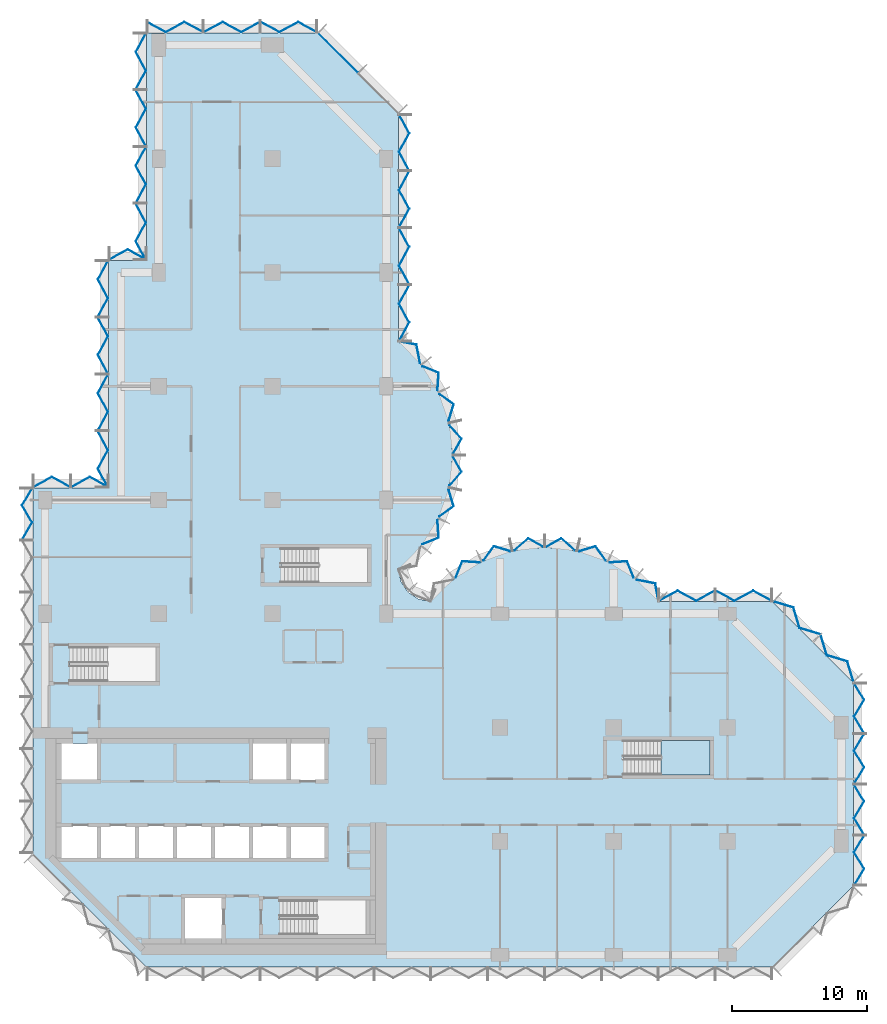
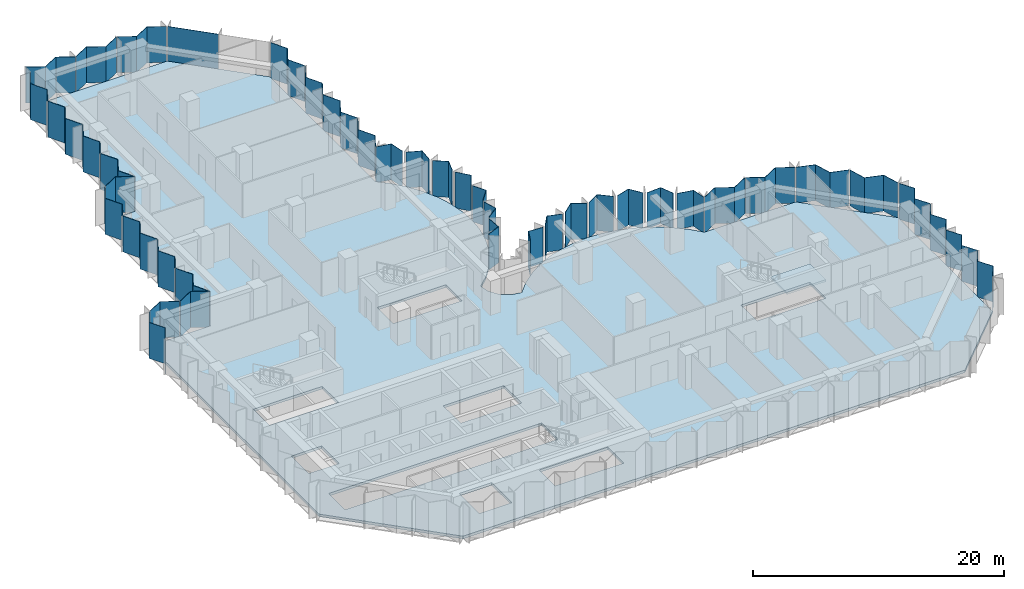
# One storey, part 4 of 11: 42 plates, 2 slabs, 14 elements without a shape of their own.
"""IFC4 building model written with IfcOpenShell, lengths in metres."""

from ifc_helpers import new_model, si_unit, direction, frame, origin, place, context, subcontext, project, spatial, polyline, outline, extrude, material, layer, layer_set, type_object, element, aggregate, save


model = new_model("IFC4")

# Units and contexts
model_context = context("Model", 3, precision=1e-05, world=origin(), true_north=direction((0.0, 1.0)))
body_context = subcontext(model_context, "Body", "Model", "MODEL_VIEW")
ifc_project = project(units=[si_unit("LENGTHUNIT", "METRE"), si_unit("AREAUNIT", "SQUARE_METRE"), si_unit("VOLUMEUNIT", "CUBIC_METRE"), si_unit("PLANEANGLEUNIT", "RADIAN"), si_unit("MASSUNIT", "GRAM", prefix="KILO")], contexts=[model_context])

# Site, building, storey
site_placement = place(None, origin())
site = spatial("IfcSite", under=ifc_project, at=site_placement, CompositionType="ELEMENT")
building_placement = place(site_placement, origin())
building = spatial("IfcBuilding", under=site, at=building_placement, Name="Brevane Broadcast Tower", CompositionType="ELEMENT")
storey_placement = place(building_placement, frame((0.0, 0.0, 149.300048828125)))
storey = spatial("IfcBuildingStorey", under=building, at=storey_placement, Name="L37", CompositionType="ELEMENT", Elevation=149.300048828125)

# Curtain wall, plates
ifc_material_1 = material(Name="Aluminium 6063-T6 bronze anodised", Category="aluminium")
curtain_wall_type = type_object("IfcCurtainWallType", Name="CW-1 curtain wall", PredefinedType="NOTDEFINED", material=ifc_material_1)
curtain_wall_1_placement = place(storey_placement, origin())
curtain_wall_1 = element("IfcCurtainWall", 1, at=curtain_wall_1_placement, inside=storey, type_object=curtain_wall_type, Name="CW-1 typical tilted unit L37 east end", PredefinedType="NOTDEFINED")
ifc_material_2 = material(Name="Laminated glass bronze-tinted", Category="glass")
ifc_layer_1 = layer(ifc_material_2, 0.0400390625)
ifc_layer_set_1 = layer_set([ifc_layer_1], Name="CW tall glass panel 40")
plate_type = type_object("IfcPlateType", Name="CW tall glass panel 40", PredefinedType="CURTAIN_PANEL", material=ifc_layer_set_1)
plate_1_placement = place(storey_placement, frame((0.0, 0.0, -0.150146484375)))
plate_1 = element("IfcPlate", 2, at=plate_1_placement, type_object=plate_type, Name="CW-1 glass panel", PredefinedType="CURTAIN_PANEL", context=body_context, shape_type="SweptSolid", body=[
    extrude(outline(polyline([(59.7265625, 5.135009765625), (59.7734375, 5.135009765625), (60.517822265625, 6.36181640625), (59.7734375, 7.58837890625), (60.517822265625, 8.81494140625), (60.470947265625, 8.81494140625), (59.7265625, 7.58837890625), (60.470947265625, 6.36181640625), (59.7265625, 5.135009765625)])), origin(), (0.0, 0.0, 1.0), 3.5),
])
plate_2_placement = place(storey_placement, frame((0.0, 0.0, -0.150146484375)))
plate_2 = element("IfcPlate", 3, at=plate_2_placement, type_object=plate_type, Name="CW-1 glass panel", PredefinedType="CURTAIN_PANEL", context=body_context, shape_type="SweptSolid", body=[
    extrude(outline(polyline([(60.470947265625, 8.885009765625), (60.517822265625, 8.885009765625), (59.7734375, 10.11181640625), (60.517822265625, 11.33837890625), (59.7734375, 12.56494140625), (59.7265625, 12.56494140625), (60.470947265625, 11.33837890625), (59.7265625, 10.11181640625), (60.470947265625, 8.885009765625)])), origin(), (0.0, 0.0, 1.0), 3.5),
])
plate_3_placement = place(storey_placement, frame((0.0, 0.0, -0.150146484375)))
plate_3 = element("IfcPlate", 4, at=plate_3_placement, type_object=plate_type, Name="CW-1 glass panel", PredefinedType="CURTAIN_PANEL", context=body_context, shape_type="SweptSolid", body=[
    extrude(outline(polyline([(59.7265625, 12.635009765625), (59.7734375, 12.635009765625), (60.517822265625, 13.86181640625), (59.7734375, 15.08837890625), (60.517822265625, 16.31494140625), (60.470947265625, 16.31494140625), (59.7265625, 15.08837890625), (60.470947265625, 13.86181640625), (59.7265625, 12.635009765625)])), origin(), (0.0, 0.0, 1.0), 3.5),
])
plate_4_placement = place(storey_placement, frame((0.0, 0.0, -0.150146484375)))
plate_4 = element("IfcPlate", 5, at=plate_4_placement, type_object=plate_type, Name="CW-1 glass panel", PredefinedType="CURTAIN_PANEL", context=body_context, shape_type="SweptSolid", body=[
    extrude(outline(polyline([(60.470947265625, 16.385009765625), (60.517822265625, 16.385009765625), (59.7734375, 17.61181640625), (60.517822265625, 18.83837890625), (59.7734375, 20.06494140625), (59.7265625, 20.06494140625), (60.470947265625, 18.83837890625), (59.7265625, 17.61181640625), (60.470947265625, 16.385009765625)])), origin(), (0.0, 0.0, 1.0), 3.5),
])
aggregate(curtain_wall_1, [plate_1, plate_2, plate_3, plate_4])

curtain_wall_2_placement = place(storey_placement, origin())
curtain_wall_2 = element("IfcCurtainWall", 6, at=curtain_wall_2_placement, inside=storey, type_object=curtain_wall_type, Name="CW-1 typical tilted unit L37 north-east chamfer", PredefinedType="NOTDEFINED")
plate_5_placement = place(storey_placement, frame((0.0, 0.0, -0.150146484375)))
plate_5 = element("IfcPlate", 7, at=plate_5_placement, type_object=plate_type, Name="CW-1 glass panel", PredefinedType="CURTAIN_PANEL", context=body_context, shape_type="SweptSolid", body=[
    extrude(outline(polyline([(59.694580078125, 20.14404296875), (59.7265625, 20.176025390625), (59.26953125, 21.68603515625), (57.759521484375, 22.14306640625), (57.302490234375, 23.653076171875), (57.2705078125, 23.620849609375), (57.7275390625, 22.111083984375), (59.2373046875, 21.65380859375), (59.694580078125, 20.14404296875)])), origin(), (0.0, 0.0, 1.0), 3.5),
])
plate_6_placement = place(storey_placement, frame((0.0, 0.0, -0.150146484375)))
plate_6 = element("IfcPlate", 8, at=plate_6_placement, type_object=plate_type, Name="CW-1 glass panel", PredefinedType="CURTAIN_PANEL", context=body_context, shape_type="SweptSolid", body=[
    extrude(outline(polyline([(57.220947265625, 23.67041015625), (57.2529296875, 23.702392578125), (55.7431640625, 24.15966796875), (55.285888671875, 25.66943359375), (53.776123046875, 26.126708984375), (53.744140625, 26.094482421875), (55.25390625, 25.637451171875), (55.711181640625, 24.127685546875), (57.220947265625, 23.67041015625)])), origin(), (0.0, 0.0, 1.0), 3.5),
])
aggregate(curtain_wall_2, [plate_5, plate_6])

curtain_wall_3_placement = place(storey_placement, origin())
curtain_wall_3 = element("IfcCurtainWall", 9, at=curtain_wall_3_placement, inside=storey, type_object=curtain_wall_type, Name="CW-1 typical tilted unit L37 east arm north face", PredefinedType="NOTDEFINED")
plate_7_placement = place(storey_placement, frame((0.0, 0.0, -0.150146484375)))
plate_7 = element("IfcPlate", 10, at=plate_7_placement, type_object=plate_type, Name="CW-1 glass panel", PredefinedType="CURTAIN_PANEL", context=body_context, shape_type="SweptSolid", body=[
    extrude(outline(polyline([(53.6650390625, 26.127197265625), (53.6650390625, 26.172607421875), (52.288330078125, 26.9169921875), (50.91162109375, 26.172607421875), (49.534912109375, 26.9169921875), (49.534912109375, 26.87158203125), (50.91162109375, 26.127197265625), (52.288330078125, 26.87158203125), (53.6650390625, 26.127197265625)])), origin(), (0.0, 0.0, 1.0), 3.5),
])
plate_8_placement = place(storey_placement, frame((0.0, 0.0, -0.150146484375)))
plate_8 = element("IfcPlate", 11, at=plate_8_placement, type_object=plate_type, Name="CW-1 glass panel", PredefinedType="CURTAIN_PANEL", context=body_context, shape_type="SweptSolid", body=[
    extrude(outline(polyline([(49.465087890625, 26.87158203125), (49.465087890625, 26.9169921875), (48.08837890625, 26.172607421875), (46.711669921875, 26.9169921875), (45.3349609375, 26.172607421875), (45.3349609375, 26.127197265625), (46.711669921875, 26.87158203125), (48.08837890625, 26.127197265625), (49.465087890625, 26.87158203125)])), origin(), (0.0, 0.0, 1.0), 3.5),
])
aggregate(curtain_wall_3, [plate_7, plate_8])

curtain_wall_4_placement = place(storey_placement, origin())
curtain_wall_4 = element("IfcCurtainWall", 12, at=curtain_wall_4_placement, inside=storey, type_object=curtain_wall_type, Name="CW-1 typical tilted unit L37 east bow", PredefinedType="NOTDEFINED")
plate_9_placement = place(storey_placement, frame((0.0, 0.0, -0.150146484375)))
plate_9 = element("IfcPlate", 13, at=plate_9_placement, type_object=plate_type, Name="CW-1 glass panel", PredefinedType="CURTAIN_PANEL", context=body_context, shape_type="SweptSolid", body=[
    extrude(outline(polyline([(45.2939453125, 26.14404296875), (45.327880859375, 26.17919921875), (45.086181640625, 27.447265625), (43.738525390625, 27.71142578125), (43.7109375, 27.67626953125), (45.052001953125, 27.4130859375), (45.2939453125, 26.14404296875)])), origin(), (0.0, 0.0, 1.0), 3.5),
])
plate_10_placement = place(storey_placement, frame((0.0, 0.0, -0.150146484375)))
plate_10 = element("IfcPlate", 14, at=plate_10_placement, type_object=plate_type, Name="CW-1 glass panel", PredefinedType="CURTAIN_PANEL", context=body_context, shape_type="SweptSolid", body=[
    extrude(outline(polyline([(43.45703125, 27.8759765625), (43.4853515625, 27.912109375), (43.00390625, 29.089111328125), (41.710693359375, 29.006591796875), (41.69091796875, 28.96533203125), (42.977783203125, 29.04736328125), (43.45703125, 27.8759765625)])), origin(), (0.0, 0.0, 1.0), 3.5),
])
plate_11_placement = place(storey_placement, frame((0.0, 0.0, -0.150146484375)))
plate_11 = element("IfcPlate", 15, at=plate_11_placement, type_object=plate_type, Name="CW-1 glass panel", PredefinedType="CURTAIN_PANEL", context=body_context, shape_type="SweptSolid", body=[
    extrude(outline(polyline([(41.3994140625, 29.104248046875), (41.4189453125, 29.1455078125), (40.667724609375, 30.20166015625), (39.45068359375, 29.83349609375), (39.440185546875, 29.78857421875), (40.65185546875, 30.155029296875), (41.3994140625, 29.104248046875)])), origin(), (0.0, 0.0, 1.0), 3.5),
])
plate_12_placement = place(storey_placement, frame((0.0, 0.0, -0.150146484375)))
plate_12 = element("IfcPlate", 16, at=plate_12_placement, type_object=plate_type, Name="CW-1 glass panel", PredefinedType="CURTAIN_PANEL", context=body_context, shape_type="SweptSolid", body=[
    extrude(outline(polyline([(39.125, 29.859619140625), (39.13525390625, 29.903564453125), (38.116943359375, 30.779296875), (37.008056640625, 30.15869140625), (37.008056640625, 30.11279296875), (38.112060546875, 30.730712890625), (39.125, 29.859619140625)])), origin(), (0.0, 0.0, 1.0), 3.5),
])
plate_13_placement = place(storey_placement, frame((0.0, 0.0, -0.150146484375)))
plate_13 = element("IfcPlate", 17, at=plate_13_placement, type_object=plate_type, Name="CW-1 glass panel", PredefinedType="CURTAIN_PANEL", context=body_context, shape_type="SweptSolid", body=[
    extrude(outline(polyline([(36.7919921875, 30.11279296875), (36.7919921875, 30.15869140625), (35.68310546875, 30.779296875), (34.664794921875, 29.903564453125), (34.6748046875, 29.859619140625), (35.68798828125, 30.730712890625), (36.7919921875, 30.11279296875)])), origin(), (0.0, 0.0, 1.0), 3.5),
])
plate_14_placement = place(storey_placement, frame((0.0, 0.0, -0.150146484375)))
plate_14 = element("IfcPlate", 18, at=plate_14_placement, type_object=plate_type, Name="CW-1 glass panel", PredefinedType="CURTAIN_PANEL", context=body_context, shape_type="SweptSolid", body=[
    extrude(outline(polyline([(34.359619140625, 29.78857421875), (34.349365234375, 29.83349609375), (33.132080078125, 30.20166015625), (32.381103515625, 29.1455078125), (32.400634765625, 29.104248046875), (33.148193359375, 30.155029296875), (34.359619140625, 29.78857421875)])), origin(), (0.0, 0.0, 1.0), 3.5),
])
plate_15_placement = place(storey_placement, frame((0.0, 0.0, -0.150146484375)))
plate_15 = element("IfcPlate", 19, at=plate_15_placement, type_object=plate_type, Name="CW-1 glass panel", PredefinedType="CURTAIN_PANEL", context=body_context, shape_type="SweptSolid", body=[
    extrude(outline(polyline([(32.10888671875, 28.96533203125), (32.08935546875, 29.006591796875), (30.7958984375, 29.089111328125), (30.314697265625, 27.912109375), (30.343017578125, 27.8759765625), (30.822265625, 29.04736328125), (32.10888671875, 28.96533203125)])), origin(), (0.0, 0.0, 1.0), 3.5),
])
aggregate(curtain_wall_4, [plate_9, plate_10, plate_11, plate_12, plate_13, plate_14, plate_15])

curtain_wall_5_placement = place(storey_placement, origin())
curtain_wall_5 = element("IfcCurtainWall", 20, at=curtain_wall_5_placement, inside=storey, type_object=curtain_wall_type, Name="CW-1 typical tilted unit L37 north bow", PredefinedType="NOTDEFINED")
plate_16_placement = place(storey_placement, frame((0.0, 0.0, -0.150146484375)))
plate_16 = element("IfcPlate", 21, at=plate_16_placement, type_object=plate_type, Name="CW-1 glass panel", PredefinedType="CURTAIN_PANEL", context=body_context, shape_type="SweptSolid", body=[
    extrude(outline(polyline([(27.8759765625, 30.343017578125), (27.912109375, 30.314697265625), (29.089111328125, 30.7958984375), (29.006591796875, 32.08935546875), (28.96533203125, 32.10888671875), (29.04736328125, 30.822265625), (27.8759765625, 30.343017578125)])), origin(), (0.0, 0.0, 1.0), 3.5),
])
plate_17_placement = place(storey_placement, frame((0.0, 0.0, -0.150146484375)))
plate_17 = element("IfcPlate", 22, at=plate_17_placement, type_object=plate_type, Name="CW-1 glass panel", PredefinedType="CURTAIN_PANEL", context=body_context, shape_type="SweptSolid", body=[
    extrude(outline(polyline([(29.104248046875, 32.400634765625), (29.1455078125, 32.381103515625), (30.20166015625, 33.132080078125), (29.83349609375, 34.349365234375), (29.78857421875, 34.359619140625), (30.155029296875, 33.148193359375), (29.104248046875, 32.400634765625)])), origin(), (0.0, 0.0, 1.0), 3.5),
])
plate_18_placement = place(storey_placement, frame((0.0, 0.0, -0.150146484375)))
plate_18 = element("IfcPlate", 23, at=plate_18_placement, type_object=plate_type, Name="CW-1 glass panel", PredefinedType="CURTAIN_PANEL", context=body_context, shape_type="SweptSolid", body=[
    extrude(outline(polyline([(29.859619140625, 34.6748046875), (29.903564453125, 34.664794921875), (30.779296875, 35.68310546875), (30.15869140625, 36.7919921875), (30.11279296875, 36.7919921875), (30.730712890625, 35.68798828125), (29.859619140625, 34.6748046875)])), origin(), (0.0, 0.0, 1.0), 3.5),
])
plate_19_placement = place(storey_placement, frame((0.0, 0.0, -0.150146484375)))
plate_19 = element("IfcPlate", 24, at=plate_19_placement, type_object=plate_type, Name="CW-1 glass panel", PredefinedType="CURTAIN_PANEL", context=body_context, shape_type="SweptSolid", body=[
    extrude(outline(polyline([(30.11279296875, 37.008056640625), (30.15869140625, 37.008056640625), (30.779296875, 38.116943359375), (29.903564453125, 39.13525390625), (29.859619140625, 39.125), (30.730712890625, 38.112060546875), (30.11279296875, 37.008056640625)])), origin(), (0.0, 0.0, 1.0), 3.5),
])
plate_20_placement = place(storey_placement, frame((0.0, 0.0, -0.150146484375)))
plate_20 = element("IfcPlate", 25, at=plate_20_placement, type_object=plate_type, Name="CW-1 glass panel", PredefinedType="CURTAIN_PANEL", context=body_context, shape_type="SweptSolid", body=[
    extrude(outline(polyline([(29.78857421875, 39.440185546875), (29.83349609375, 39.45068359375), (30.20166015625, 40.667724609375), (29.1455078125, 41.4189453125), (29.104248046875, 41.3994140625), (30.155029296875, 40.65185546875), (29.78857421875, 39.440185546875)])), origin(), (0.0, 0.0, 1.0), 3.5),
])
plate_21_placement = place(storey_placement, frame((0.0, 0.0, -0.150146484375)))
plate_21 = element("IfcPlate", 26, at=plate_21_placement, type_object=plate_type, Name="CW-1 glass panel", PredefinedType="CURTAIN_PANEL", context=body_context, shape_type="SweptSolid", body=[
    extrude(outline(polyline([(28.96533203125, 41.69091796875), (29.006591796875, 41.710693359375), (29.089111328125, 43.00390625), (27.912109375, 43.4853515625), (27.8759765625, 43.45703125), (29.04736328125, 42.977783203125), (28.96533203125, 41.69091796875)])), origin(), (0.0, 0.0, 1.0), 3.5),
])
plate_22_placement = place(storey_placement, frame((0.0, 0.0, -0.150146484375)))
plate_22 = element("IfcPlate", 27, at=plate_22_placement, type_object=plate_type, Name="CW-1 glass panel", PredefinedType="CURTAIN_PANEL", context=body_context, shape_type="SweptSolid", body=[
    extrude(outline(polyline([(27.67626953125, 43.7109375), (27.71142578125, 43.738525390625), (27.447265625, 45.086181640625), (26.17919921875, 45.327880859375), (26.14404296875, 45.2939453125), (27.4130859375, 45.052001953125), (27.67626953125, 43.7109375)])), origin(), (0.0, 0.0, 1.0), 3.5),
])
aggregate(curtain_wall_5, [plate_16, plate_17, plate_18, plate_19, plate_20, plate_21, plate_22])

curtain_wall_6_placement = place(storey_placement, origin())
curtain_wall_6 = element("IfcCurtainWall", 28, at=curtain_wall_6_placement, inside=storey, type_object=curtain_wall_type, Name="CW-1 typical tilted unit L37 north arm east face", PredefinedType="NOTDEFINED")
plate_23_placement = place(storey_placement, frame((0.0, 0.0, -0.150146484375)))
plate_23 = element("IfcPlate", 29, at=plate_23_placement, type_object=plate_type, Name="CW-1 glass panel", PredefinedType="CURTAIN_PANEL", context=body_context, shape_type="SweptSolid", body=[
    extrude(outline(polyline([(26.127197265625, 45.3349609375), (26.172607421875, 45.3349609375), (26.9169921875, 46.711669921875), (26.172607421875, 48.08837890625), (26.9169921875, 49.465087890625), (26.87158203125, 49.465087890625), (26.127197265625, 48.08837890625), (26.87158203125, 46.711669921875), (26.127197265625, 45.3349609375)])), origin(), (0.0, 0.0, 1.0), 3.5),
])
plate_24_placement = place(storey_placement, frame((0.0, 0.0, -0.150146484375)))
plate_24 = element("IfcPlate", 30, at=plate_24_placement, type_object=plate_type, Name="CW-1 glass panel", PredefinedType="CURTAIN_PANEL", context=body_context, shape_type="SweptSolid", body=[
    extrude(outline(polyline([(26.87158203125, 49.534912109375), (26.9169921875, 49.534912109375), (26.172607421875, 50.91162109375), (26.9169921875, 52.288330078125), (26.172607421875, 53.6650390625), (26.127197265625, 53.6650390625), (26.87158203125, 52.288330078125), (26.127197265625, 50.91162109375), (26.87158203125, 49.534912109375)])), origin(), (0.0, 0.0, 1.0), 3.5),
])
plate_25_placement = place(storey_placement, frame((0.0, 0.0, -0.150146484375)))
plate_25 = element("IfcPlate", 31, at=plate_25_placement, type_object=plate_type, Name="CW-1 glass panel", PredefinedType="CURTAIN_PANEL", context=body_context, shape_type="SweptSolid", body=[
    extrude(outline(polyline([(26.127197265625, 53.735107421875), (26.172607421875, 53.735107421875), (26.9169921875, 55.11181640625), (26.172607421875, 56.48828125), (26.9169921875, 57.864990234375), (26.87158203125, 57.864990234375), (26.127197265625, 56.48828125), (26.87158203125, 55.11181640625), (26.127197265625, 53.735107421875)])), origin(), (0.0, 0.0, 1.0), 3.5),
])
plate_26_placement = place(storey_placement, frame((0.0, 0.0, -0.150146484375)))
plate_26 = element("IfcPlate", 32, at=plate_26_placement, type_object=plate_type, Name="CW-1 glass panel", PredefinedType="CURTAIN_PANEL", context=body_context, shape_type="SweptSolid", body=[
    extrude(outline(polyline([(26.87158203125, 57.93505859375), (26.9169921875, 57.93505859375), (26.172607421875, 59.311767578125), (26.9169921875, 60.688232421875), (26.172607421875, 62.06494140625), (26.127197265625, 62.06494140625), (26.87158203125, 60.688232421875), (26.127197265625, 59.311767578125), (26.87158203125, 57.93505859375)])), origin(), (0.0, 0.0, 1.0), 3.5),
])
aggregate(curtain_wall_6, [plate_23, plate_24, plate_25, plate_26])

# Curtain wall, plate
curtain_wall_7_placement = place(storey_placement, origin())
curtain_wall_7 = element("IfcCurtainWall", 33, at=curtain_wall_7_placement, inside=storey, type_object=curtain_wall_type, Name="CW-1 typical tilted unit L37 north arm north-east chamfer", PredefinedType="NOTDEFINED")
plate_27_placement = place(storey_placement, frame((0.0, 0.0, -0.150146484375)))
plate_27 = element("IfcPlate", 34, at=plate_27_placement, type_object=plate_type, Name="CW-1 glass panel", PredefinedType="CURTAIN_PANEL", context=body_context, shape_type="SweptSolid", body=[
    extrude(outline(polyline([(23.096435546875, 65.14599609375), (20.14599609375, 68.096435546875), (20.17431640625, 68.124755859375), (23.124755859375, 65.17431640625), (23.096435546875, 65.14599609375)])), origin(), (0.0, 0.0, 1.0), 3.5),
])
aggregate(curtain_wall_7, [plate_27])

# Curtain wall, plates
curtain_wall_8_placement = place(storey_placement, origin())
curtain_wall_8 = element("IfcCurtainWall", 35, at=curtain_wall_8_placement, inside=storey, type_object=curtain_wall_type, Name="CW-1 typical tilted unit L37 north end", PredefinedType="NOTDEFINED")
plate_28_placement = place(storey_placement, frame((0.0, 0.0, -0.150146484375)))
plate_28 = element("IfcPlate", 36, at=plate_28_placement, type_object=plate_type, Name="CW-1 glass panel", PredefinedType="CURTAIN_PANEL", context=body_context, shape_type="SweptSolid", body=[
    extrude(outline(polyline([(20.06494140625, 68.127197265625), (20.06494140625, 68.172607421875), (18.688232421875, 68.9169921875), (17.311767578125, 68.172607421875), (15.93505859375, 68.9169921875), (15.93505859375, 68.87158203125), (17.311767578125, 68.127197265625), (18.688232421875, 68.87158203125), (20.06494140625, 68.127197265625)])), origin(), (0.0, 0.0, 1.0), 3.5),
])
plate_29_placement = place(storey_placement, frame((0.0, 0.0, -0.150146484375)))
plate_29 = element("IfcPlate", 37, at=plate_29_placement, type_object=plate_type, Name="CW-1 glass panel", PredefinedType="CURTAIN_PANEL", context=body_context, shape_type="SweptSolid", body=[
    extrude(outline(polyline([(15.864990234375, 68.87158203125), (15.864990234375, 68.9169921875), (14.48828125, 68.172607421875), (13.11181640625, 68.9169921875), (11.735107421875, 68.172607421875), (11.735107421875, 68.127197265625), (13.11181640625, 68.87158203125), (14.48828125, 68.127197265625), (15.864990234375, 68.87158203125)])), origin(), (0.0, 0.0, 1.0), 3.5),
])
plate_30_placement = place(storey_placement, frame((0.0, 0.0, -0.150146484375)))
plate_30 = element("IfcPlate", 38, at=plate_30_placement, type_object=plate_type, Name="CW-1 glass panel", PredefinedType="CURTAIN_PANEL", context=body_context, shape_type="SweptSolid", body=[
    extrude(outline(polyline([(11.6650390625, 68.127197265625), (11.6650390625, 68.172607421875), (10.288330078125, 68.9169921875), (8.91162109375, 68.172607421875), (7.534912109375, 68.9169921875), (7.534912109375, 68.87158203125), (8.91162109375, 68.127197265625), (10.288330078125, 68.87158203125), (11.6650390625, 68.127197265625)])), origin(), (0.0, 0.0, 1.0), 3.5),
])
aggregate(curtain_wall_8, [plate_28, plate_29, plate_30])

curtain_wall_9_placement = place(storey_placement, origin())
curtain_wall_9 = element("IfcCurtainWall", 39, at=curtain_wall_9_placement, inside=storey, type_object=curtain_wall_type, Name="CW-1 typical tilted unit L37 north wing west face above the set-back", PredefinedType="NOTDEFINED")
plate_31_placement = place(storey_placement, frame((0.0, 0.0, -0.150146484375)))
plate_31 = element("IfcPlate", 40, at=plate_31_placement, type_object=plate_type, Name="CW-1 glass panel", PredefinedType="CURTAIN_PANEL", context=body_context, shape_type="SweptSolid", body=[
    extrude(outline(polyline([(7.47265625, 68.06494140625), (7.42724609375, 68.06494140625), (6.682861328125, 66.688232421875), (7.42724609375, 65.311767578125), (6.682861328125, 63.93505859375), (6.728271484375, 63.93505859375), (7.47265625, 65.311767578125), (6.728271484375, 66.688232421875), (7.47265625, 68.06494140625)])), origin(), (0.0, 0.0, 1.0), 3.5),
])
plate_32_placement = place(storey_placement, frame((0.0, 0.0, -0.150146484375)))
plate_32 = element("IfcPlate", 41, at=plate_32_placement, type_object=plate_type, Name="CW-1 glass panel", PredefinedType="CURTAIN_PANEL", context=body_context, shape_type="SweptSolid", body=[
    extrude(outline(polyline([(6.728271484375, 63.864990234375), (6.682861328125, 63.864990234375), (7.42724609375, 62.48828125), (6.682861328125, 61.11181640625), (7.42724609375, 59.735107421875), (7.47265625, 59.735107421875), (6.728271484375, 61.11181640625), (7.47265625, 62.48828125), (6.728271484375, 63.864990234375)])), origin(), (0.0, 0.0, 1.0), 3.5),
])
plate_33_placement = place(storey_placement, frame((0.0, 0.0, -0.150146484375)))
plate_33 = element("IfcPlate", 42, at=plate_33_placement, type_object=plate_type, Name="CW-1 glass panel", PredefinedType="CURTAIN_PANEL", context=body_context, shape_type="SweptSolid", body=[
    extrude(outline(polyline([(7.47265625, 59.6650390625), (7.42724609375, 59.6650390625), (6.682861328125, 58.288330078125), (7.42724609375, 56.91162109375), (6.682861328125, 55.534912109375), (6.728271484375, 55.534912109375), (7.47265625, 56.91162109375), (6.728271484375, 58.288330078125), (7.47265625, 59.6650390625)])), origin(), (0.0, 0.0, 1.0), 3.5),
])
plate_34_placement = place(storey_placement, frame((0.0, 0.0, -0.150146484375)))
plate_34 = element("IfcPlate", 43, at=plate_34_placement, type_object=plate_type, Name="CW-1 glass panel", PredefinedType="CURTAIN_PANEL", context=body_context, shape_type="SweptSolid", body=[
    extrude(outline(polyline([(6.728271484375, 55.465087890625), (6.682861328125, 55.465087890625), (7.42724609375, 54.08837890625), (6.682861328125, 52.711669921875), (7.42724609375, 51.3349609375), (7.47265625, 51.3349609375), (6.728271484375, 52.711669921875), (7.47265625, 54.08837890625), (6.728271484375, 55.465087890625)])), origin(), (0.0, 0.0, 1.0), 3.5),
])
aggregate(curtain_wall_9, [plate_31, plate_32, plate_33, plate_34])

# Curtain wall, plate
curtain_wall_10_placement = place(storey_placement, origin())
curtain_wall_10 = element("IfcCurtainWall", 44, at=curtain_wall_10_placement, inside=storey, type_object=curtain_wall_type, Name="CW-1 typical tilted unit L37 north wing west return", PredefinedType="NOTDEFINED")
plate_35_placement = place(storey_placement, frame((0.0, 0.0, -0.150146484375)))
plate_35 = element("IfcPlate", 45, at=plate_35_placement, type_object=plate_type, Name="CW-1 glass panel", PredefinedType="CURTAIN_PANEL", context=body_context, shape_type="SweptSolid", body=[
    extrude(outline(polyline([(7.465087890625, 51.3271484375), (7.465087890625, 51.372802734375), (6.10009765625, 52.1171875), (4.735107421875, 51.372802734375), (4.735107421875, 51.3271484375), (6.10009765625, 52.071533203125), (7.465087890625, 51.3271484375)])), origin(), (0.0, 0.0, 1.0), 3.5),
])
aggregate(curtain_wall_10, [plate_35])

# Curtain wall, plates
curtain_wall_11_placement = place(storey_placement, origin())
curtain_wall_11 = element("IfcCurtainWall", 46, at=curtain_wall_11_placement, inside=storey, type_object=curtain_wall_type, Name="CW-1 typical tilted unit L37 north wing west face, lower block", PredefinedType="NOTDEFINED")
plate_36_placement = place(storey_placement, frame((0.0, 0.0, -0.150146484375)))
plate_36 = element("IfcPlate", 47, at=plate_36_placement, type_object=plate_type, Name="CW-1 glass panel", PredefinedType="CURTAIN_PANEL", context=body_context, shape_type="SweptSolid", body=[
    extrude(outline(polyline([(4.672607421875, 51.264892578125), (4.627197265625, 51.264892578125), (3.8828125, 49.88818359375), (4.627197265625, 48.51171875), (3.8828125, 47.135009765625), (3.92822265625, 47.135009765625), (4.672607421875, 48.51171875), (3.92822265625, 49.88818359375), (4.672607421875, 51.264892578125)])), origin(), (0.0, 0.0, 1.0), 3.5),
])
plate_37_placement = place(storey_placement, frame((0.0, 0.0, -0.150146484375)))
plate_37 = element("IfcPlate", 48, at=plate_37_placement, type_object=plate_type, Name="CW-1 glass panel", PredefinedType="CURTAIN_PANEL", context=body_context, shape_type="SweptSolid", body=[
    extrude(outline(polyline([(3.92822265625, 47.06494140625), (3.8828125, 47.06494140625), (4.627197265625, 45.688232421875), (3.8828125, 44.311767578125), (4.627197265625, 42.93505859375), (4.672607421875, 42.93505859375), (3.92822265625, 44.311767578125), (4.672607421875, 45.688232421875), (3.92822265625, 47.06494140625)])), origin(), (0.0, 0.0, 1.0), 3.5),
])
plate_38_placement = place(storey_placement, frame((0.0, 0.0, -0.150146484375)))
plate_38 = element("IfcPlate", 49, at=plate_38_placement, type_object=plate_type, Name="CW-1 glass panel", PredefinedType="CURTAIN_PANEL", context=body_context, shape_type="SweptSolid", body=[
    extrude(outline(polyline([(4.672607421875, 42.864990234375), (4.627197265625, 42.864990234375), (3.8828125, 41.48828125), (4.627197265625, 40.11181640625), (3.8828125, 38.735107421875), (3.92822265625, 38.735107421875), (4.672607421875, 40.11181640625), (3.92822265625, 41.48828125), (4.672607421875, 42.864990234375)])), origin(), (0.0, 0.0, 1.0), 3.5),
])
plate_39_placement = place(storey_placement, frame((0.0, 0.0, -0.150146484375)))
plate_39 = element("IfcPlate", 50, at=plate_39_placement, type_object=plate_type, Name="CW-1 glass panel", PredefinedType="CURTAIN_PANEL", context=body_context, shape_type="SweptSolid", body=[
    extrude(outline(polyline([(3.92822265625, 38.6650390625), (3.8828125, 38.6650390625), (4.627197265625, 37.288330078125), (3.8828125, 35.91162109375), (4.627197265625, 34.534912109375), (4.672607421875, 34.534912109375), (3.92822265625, 35.91162109375), (4.672607421875, 37.288330078125), (3.92822265625, 38.6650390625)])), origin(), (0.0, 0.0, 1.0), 3.5),
])
aggregate(curtain_wall_11, [plate_36, plate_37, plate_38, plate_39])

curtain_wall_12_placement = place(storey_placement, origin())
curtain_wall_12 = element("IfcCurtainWall", 51, at=curtain_wall_12_placement, inside=storey, type_object=curtain_wall_type, Name="CW-1 typical tilted unit L37 north wing west return, lower block", PredefinedType="NOTDEFINED")
plate_40_placement = place(storey_placement, frame((0.0, 0.0, -0.150146484375)))
plate_40 = element("IfcPlate", 52, at=plate_40_placement, type_object=plate_type, Name="CW-1 glass panel", PredefinedType="CURTAIN_PANEL", context=body_context, shape_type="SweptSolid", body=[
    extrude(outline(polyline([(4.6650390625, 34.527099609375), (4.6650390625, 34.57275390625), (3.300048828125, 35.317138671875), (1.93505859375, 34.57275390625), (1.93505859375, 34.527099609375), (3.300048828125, 35.271484375), (4.6650390625, 34.527099609375)])), origin(), (0.0, 0.0, 1.0), 3.5),
])
plate_41_placement = place(storey_placement, frame((0.0, 0.0, -0.150146484375)))
plate_41 = element("IfcPlate", 53, at=plate_41_placement, type_object=plate_type, Name="CW-1 glass panel", PredefinedType="CURTAIN_PANEL", context=body_context, shape_type="SweptSolid", body=[
    extrude(outline(polyline([(1.864990234375, 34.527099609375), (1.864990234375, 34.57275390625), (0.5, 35.317138671875), (-0.864990234375, 34.57275390625), (-0.864990234375, 34.527099609375), (0.5, 35.271484375), (1.864990234375, 34.527099609375)])), origin(), (0.0, 0.0, 1.0), 3.5),
])
aggregate(curtain_wall_12, [plate_40, plate_41])

# Curtain wall, plate
curtain_wall_13_placement = place(storey_placement, origin())
curtain_wall_13 = element("IfcCurtainWall", 54, at=curtain_wall_13_placement, inside=storey, type_object=curtain_wall_type, Name="CW-1 typical tilted unit L37 west face", PredefinedType="NOTDEFINED")
plate_42_placement = place(storey_placement, frame((0.0, 0.0, -0.150146484375)))
plate_42 = element("IfcPlate", 55, at=plate_42_placement, type_object=plate_type, Name="CW-1 glass panel", PredefinedType="CURTAIN_PANEL", context=body_context, shape_type="SweptSolid", body=[
    extrude(outline(polyline([(-0.9267578125, 34.465087890625), (-0.97314453125, 34.465087890625), (-1.717529296875, 33.20263671875), (-0.97314453125, 31.940185546875), (-1.717529296875, 30.677978515625), (-1.671142578125, 30.677978515625), (-0.9267578125, 31.940185546875), (-1.671142578125, 33.20263671875), (-0.9267578125, 34.465087890625)])), origin(), (0.0, 0.0, 1.0), 3.5),
])
aggregate(curtain_wall_13, [plate_42])

# Stair, slab
ifc_material_3 = material(Name="Concrete C50/60", Category="concrete")
stair_type = type_object("IfcStairType", Name="Exit stair 22 risers", PredefinedType="HALF_TURN_STAIR", material=ifc_material_3)
stair_placement = place(storey_placement, origin())
stair = element("IfcStair", 56, at=stair_placement, inside=storey, type_object=stair_type, Name="L37 Exit stair ST-4", PredefinedType="HALF_TURN_STAIR")
ifc_layer_2 = layer(ifc_material_3, 0.199951171875)
ifc_layer_set_2 = layer_set([ifc_layer_2], Name="Exit stair landing")
slab_type_1 = type_object("IfcSlabType", Name="Exit stair landing", PredefinedType="LANDING", material=ifc_layer_set_2)
slab_1_placement = place(storey_placement, frame((0.0, 0.0, 1.599853515625)))
slab_1 = element("IfcSlab", 57, at=slab_1_placement, type_object=slab_type_1, Name="ST-4 landing 1", PredefinedType="LANDING", context=body_context, shape_type="SweptSolid", body=[
    extrude(outline(polyline([(45.5, 13.300048828125), (49.10009765625, 13.300048828125), (49.10009765625, 15.85009765625), (45.5, 15.85009765625), (45.5, 13.300048828125)])), origin(), (0.0, 0.0, 1.0), 0.2001953125),
])
aggregate(stair, [slab_1])

# Slab
ifc_material_4 = material(Name="Concrete C40/50", Category="concrete")
ifc_layer_3 = layer(ifc_material_4, 0.25)
ifc_layer_set_3 = layer_set([ifc_layer_3], Name="RC FLOOR SLAB 250 C40/50")
slab_type_2 = type_object("IfcSlabType", Name="RC FLOOR SLAB 250 C40/50", PredefinedType="FLOOR", material=ifc_layer_set_3)
slab_2_placement = place(storey_placement, frame((0.0, 0.0, -0.25)))
element("IfcSlab", 58, at=slab_2_placement, inside=storey, type_object=slab_type_2, Name="SL250 L37", PredefinedType="FLOOR", context=body_context, shape_type="SweptSolid", body=[
    extrude(outline(polyline([(-0.89990234375, 7.5), (-0.89990234375, 34.5), (4.699951171875, 34.5), (4.699951171875, 51.300048828125), (7.5, 51.300048828125), (7.5, 68.10009765625), (20.10009765625, 68.10009765625), (26.10009765625, 62.10009765625), (26.10009765625, 45.300048828125), (27.10888671875, 44.36865234375), (27.99169921875, 43.317138671875), (28.734130859375, 42.162353515625), (29.324462890625, 40.922607421875), (29.7529296875, 39.618408203125), (30.012939453125, 38.270263671875), (30.10009765625, 36.89990234375), (30.012939453125, 35.52978515625), (29.7529296875, 34.181640625), (29.324462890625, 32.877197265625), (28.734130859375, 31.6376953125), (27.99169921875, 30.48291015625), (27.10888671875, 29.431396484375), (26.10009765625, 28.5), (26.28271484375, 27.58154296875), (26.802978515625, 26.802978515625), (27.58154296875, 26.28271484375), (28.5, 26.10009765625), (29.431396484375, 27.10888671875), (30.48291015625, 27.99169921875), (31.6376953125, 28.734130859375), (32.877197265625, 29.324462890625), (34.181640625, 29.7529296875), (35.52978515625, 30.012939453125), (36.89990234375, 30.10009765625), (38.270263671875, 30.012939453125), (39.618408203125, 29.7529296875), (40.922607421875, 29.324462890625), (42.162353515625, 28.734130859375), (43.317138671875, 27.99169921875), (44.36865234375, 27.10888671875), (45.300048828125, 26.10009765625), (53.699951171875, 26.10009765625), (59.699951171875, 20.10009765625), (59.699951171875, 5.10009765625), (53.699951171875, -0.89990234375), (7.5, -0.89990234375), (-0.89990234375, 7.5)]), holes=[polyline([(13.199951171875, 4.39990234375), (10.199951171875, 4.39990234375), (10.199951171875, 1.199951171875), (13.199951171875, 1.199951171875), (13.199951171875, 4.39990234375)]), polyline([(4.0, 9.60009765625), (1.199951171875, 9.60009765625), (1.199951171875, 7.0), (4.0, 7.0), (6.800048828125, 7.0), (9.60009765625, 7.0), (12.39990234375, 7.0), (15.199951171875, 7.0), (18.0, 7.0), (20.800048828125, 7.0), (20.800048828125, 9.60009765625), (18.0, 9.60009765625), (15.199951171875, 9.60009765625), (12.39990234375, 9.60009765625), (9.60009765625, 9.60009765625), (6.800048828125, 9.60009765625), (4.0, 9.60009765625)]), polyline([(4.0, 12.800048828125), (4.0, 15.60009765625), (1.199951171875, 15.60009765625), (1.199951171875, 12.800048828125), (4.0, 12.800048828125)]), polyline([(8.199951171875, 22.75), (1.860107421875, 22.75), (1.860107421875, 20.199951171875), (8.199951171875, 20.199951171875), (8.199951171875, 22.75)]), polyline([(23.699951171875, 4.050048828125), (17.360107421875, 4.050048828125), (17.360107421875, 1.5), (23.699951171875, 1.5), (23.699951171875, 4.050048828125)]), polyline([(18.0, 15.60009765625), (15.199951171875, 15.60009765625), (15.199951171875, 12.800048828125), (18.0, 12.800048828125), (20.800048828125, 12.800048828125), (20.800048828125, 15.60009765625), (18.0, 15.60009765625)]), polyline([(49.10009765625, 15.85009765625), (42.760009765625, 15.85009765625), (42.760009765625, 13.300048828125), (49.10009765625, 13.300048828125), (49.10009765625, 15.85009765625)]), polyline([(23.800048828125, 30.050048828125), (17.4599609375, 30.050048828125), (17.4599609375, 27.5), (23.800048828125, 27.5), (23.800048828125, 30.050048828125)])]), origin(), (0.0, 0.0, 1.0), 0.25),
])

save(model, "model.ifc")
